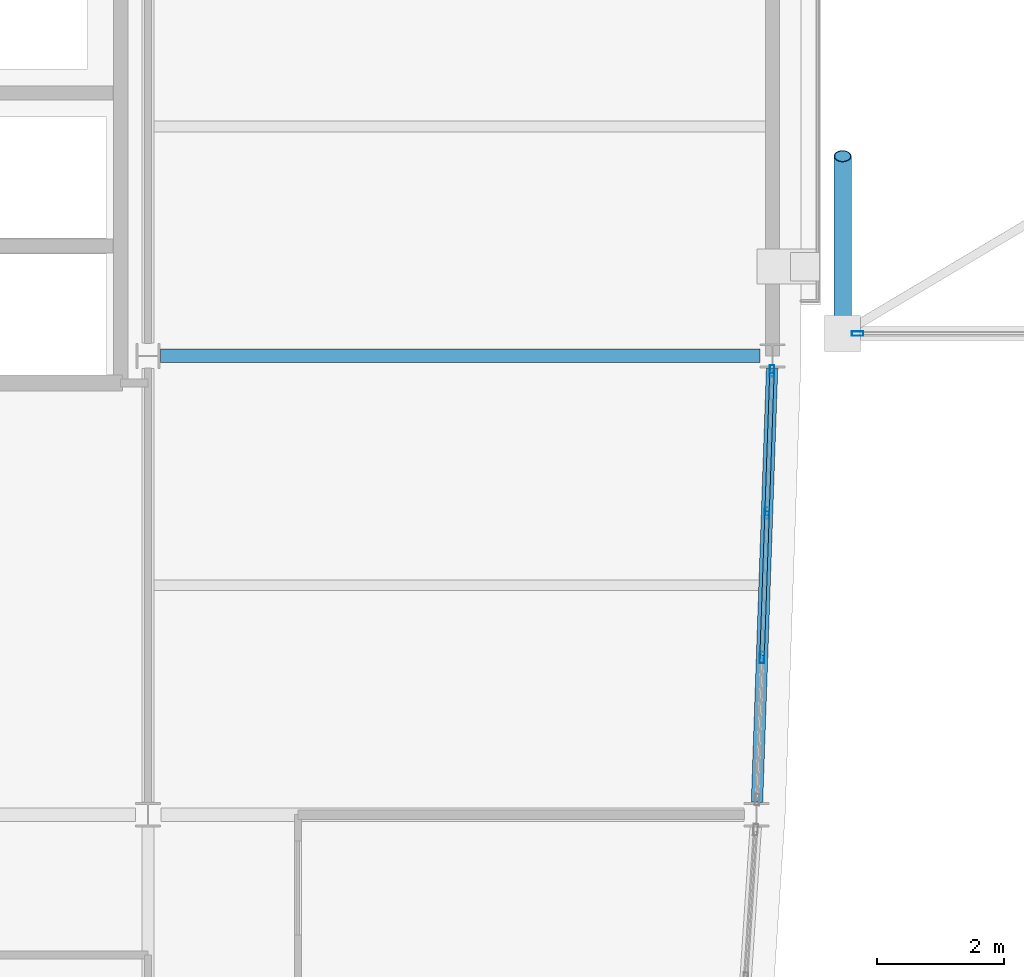
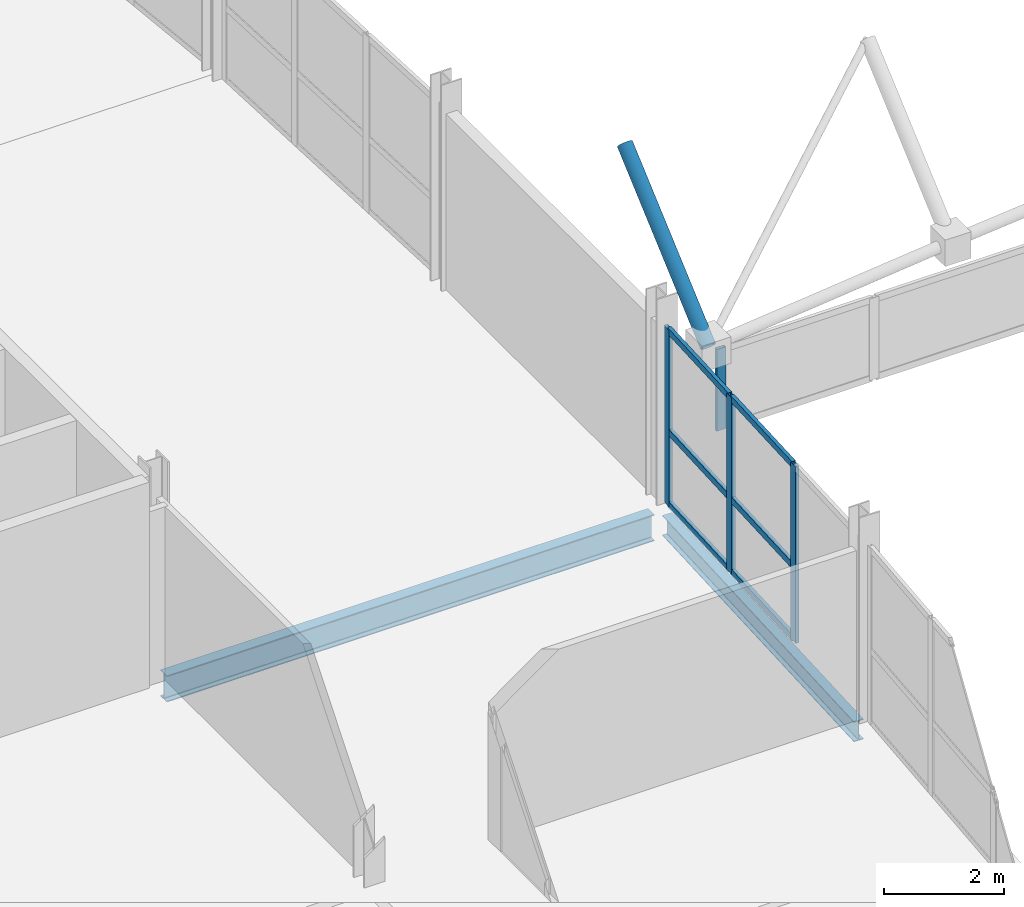
# One storey, part 25 of 60: 10 members, 3 beams, 2 elements without a shape of their own.
"""IFC4 building model written with IfcOpenShell, lengths in metres."""

import ifcopenshell
import ifcopenshell.guid

model = None  # the IFC model being written
_history = None  # IfcOwnerHistory: only IFC2X3 demands one
_inside = {}  # id of a spatial element -> (the spatial element, [elements in it])
_under = {}  # id of a project, library or spatial element -> (it, [spatial elements below it])
_declared = {}  # id of a project -> (the project, [libraries it declares])
_typed = {}  # id of a type object -> (the type object, [elements of that type])
_made_of = {}  # id of a material, layer set ... -> (it, [elements and type objects made of it])


def new_model(schema):
    """Start an empty IFC model of exactly this schema.

    Asked for "IFC4X3", IfcOpenShell would pick the latest addendum, in which some entities
    have other attributes; the version numbers below select the first issue.
    IFC2X3 requires an IfcOwnerHistory on every rooted entity: one is made here for all.
    """
    global model, _history
    if schema == "IFC4X3":
        model = ifcopenshell.file(schema_version=(4, 3, 0, 0))
    else:
        model = ifcopenshell.file(schema=schema)
    _inside.clear()
    _under.clear()
    _declared.clear()
    _typed.clear()
    _made_of.clear()
    _history = None
    if model.schema == "IFC2X3":
        org = make("IfcOrganization", Name="unknown")
        user = make(
            "IfcPersonAndOrganization",
            ThePerson=make("IfcPerson", FamilyName="unknown"),
            TheOrganization=org,
        )
        app = make(
            "IfcApplication",
            ApplicationDeveloper=org,
            Version="unknown",
            ApplicationFullName="unknown",
            ApplicationIdentifier="unknown",
        )
        _history = make(
            "IfcOwnerHistory",
            OwningUser=user,
            OwningApplication=app,
            ChangeAction="ADDED",
            CreationDate=0,
        )
    return model


def make(cls, **values):
    """One entity of the class cls with the attributes given. An attribute that is None is left unset."""
    return model.create_entity(
        cls, **{name: value for name, value in values.items() if value is not None}
    )


def rooted(cls, **values):
    """An entity with a GlobalId (a new one), such as an element, a storey or a relation."""
    return make(cls, GlobalId=ifcopenshell.guid.new(), OwnerHistory=_history, **values)


def si_unit(unit_type, name, prefix=None):
    """IfcSIUnit, for example si_unit("LENGTHUNIT", "METRE", prefix="MILLI")."""
    return make("IfcSIUnit", UnitType=unit_type, Prefix=prefix, Name=name)


def assignment(units):
    """IfcUnitAssignment: the units of a project."""
    return None if units is None else make("IfcUnitAssignment", Units=units)


def point(xyz):
    """IfcCartesianPoint."""
    return None if xyz is None else make("IfcCartesianPoint", Coordinates=xyz)


def direction(xyz):
    """IfcDirection."""
    return None if xyz is None else make("IfcDirection", DirectionRatios=xyz)


def frame(location, z_axis=None, x_axis=None):
    """IfcAxis2Placement3D, a coordinate frame: its origin and axes. An axis left out is left unset."""
    return make(
        "IfcAxis2Placement3D",
        Location=point(location),
        Axis=direction(z_axis),
        RefDirection=direction(x_axis),
    )


def frame_2d(location, x_axis=None):
    """IfcAxis2Placement2D, a coordinate frame in the plane: its origin and x axis."""
    return make(
        "IfcAxis2Placement2D", Location=point(location), RefDirection=direction(x_axis)
    )


def origin():
    """The frame at (0, 0, 0) with its axes left unset."""
    return frame((0.0, 0.0, 0.0))


def origin_2d():
    """The frame at (0, 0) in the plane with its x axis left unset."""
    return frame_2d((0.0, 0.0))


def place(relative_to, where):
    """IfcLocalPlacement: puts the frame where relative to a parent placement (None: the world)."""
    return make(
        "IfcLocalPlacement", PlacementRelTo=relative_to, RelativePlacement=where
    )


def context(
    kind, dimensions, precision=None, world=None, true_north=None, identifier=None
):
    """IfcGeometricRepresentationContext, for example the 3D "Model" context."""
    return make(
        "IfcGeometricRepresentationContext",
        ContextIdentifier=identifier,
        ContextType=kind,
        CoordinateSpaceDimension=dimensions,
        Precision=precision,
        WorldCoordinateSystem=world,
        TrueNorth=true_north,
    )


def subcontext(parent, identifier, kind, view, scale=None):
    """IfcGeometricRepresentationSubContext, for example "Body" below "Model"."""
    return make(
        "IfcGeometricRepresentationSubContext",
        ContextIdentifier=identifier,
        ContextType=kind,
        ParentContext=parent,
        TargetScale=scale,
        TargetView=view,
    )


def project(units=None, contexts=None):
    """IfcProject with its units and contexts."""
    return rooted(
        "IfcProject",
        Name="project",
        RepresentationContexts=contexts,
        UnitsInContext=assignment(units),
    )


def spatial(cls, under=None, at=None, **own):
    """A site, building, storey or space (cls), placed at a placement, below another one or the project."""
    s = rooted(cls, ObjectPlacement=at, **own)
    if under is not None:
        _under.setdefault(under.id(), (under, []))[1].append(s)
    return s


def profile(cls, at=None, kind="AREA", **sizes):
    """A parametric profile (cls). Its sizes go by their IFC names, for example OverallWidth=200.0."""
    return make(cls, ProfileType=kind, Position=at, **sizes)


def hollow_rectangle(**sizes):
    """IfcRectangleHollowProfileDef."""
    return profile("IfcRectangleHollowProfileDef", **sizes)


def hollow_circle(**sizes):
    """IfcCircleHollowProfileDef."""
    return profile("IfcCircleHollowProfileDef", **sizes)


def i_section(**sizes):
    """IfcIShapeProfileDef."""
    return profile("IfcIShapeProfileDef", **sizes)


def extrude(swept, where, along, depth):
    """IfcExtrudedAreaSolid: the profile swept, set in the frame where, extruded along a direction by depth."""
    return make(
        "IfcExtrudedAreaSolid",
        SweptArea=swept,
        Position=where,
        ExtrudedDirection=direction(along),
        Depth=depth,
    )


def shape(context_of_items, identifier, shape_type, items):
    """IfcShapeRepresentation: the items that make up one representation, for example the "Body"."""
    return make(
        "IfcShapeRepresentation",
        ContextOfItems=context_of_items,
        RepresentationIdentifier=identifier,
        RepresentationType=shape_type,
        Items=items,
    )


def material(Name=None, Category=None):
    """IfcMaterial."""
    return make("IfcMaterial", Name=Name, Category=Category)


def layer(
    of_material, thickness, ventilated=None, Name=None, Category=None, Priority=None
):
    """IfcMaterialLayer: one layer of a wall or slab, of a material (None: an air gap)."""
    return make(
        "IfcMaterialLayer",
        Material=of_material,
        LayerThickness=thickness,
        IsVentilated=ventilated,
        Name=Name,
        Category=Category,
        Priority=Priority,
    )


def layer_set(layers, Name=None):
    """IfcMaterialLayerSet."""
    return make("IfcMaterialLayerSet", MaterialLayers=layers, LayerSetName=Name)


def material_profile(
    of_material, cross_section, Name=None, Category=None, Priority=None
):
    """IfcMaterialProfile: a cross section and its material."""
    return make(
        "IfcMaterialProfile",
        Name=Name,
        Material=of_material,
        Profile=cross_section,
        Priority=Priority,
        Category=Category,
    )


def profile_set(profiles, Name=None, composite=None):
    """IfcMaterialProfileSet."""
    return make(
        "IfcMaterialProfileSet",
        Name=Name,
        MaterialProfiles=profiles,
        CompositeProfile=composite,
    )


def made_of(thing, what):
    """Note that an element or type object is made of a material, layer set ...; save() writes the relation."""
    if what is not None:
        _made_of.setdefault(what.id(), (what, []))[1].append(thing)
    return thing


def type_object(cls, material=None, **own):
    """A type object (cls), such as IfcWallType, which elements share."""
    return made_of(rooted(cls, **own), material)


def element(
    cls,
    number,
    at=None,
    inside=None,
    cuts=None,
    type_object=None,
    material=None,
    context=None,
    identifier="Body",
    shape_type=None,
    held_by="IfcProductDefinitionShape",
    body=None,
    shapes=None,
    **own,
):
    """One element of the class cls, such as IfcWall. Its Tag is "e" and its number.

    at: its placement. inside: the storey or other place that contains it. cuts: it is an
    opening in that element (IfcRelVoidsElement). A single representation is given by context,
    identifier, shape_type and body (its items); several are given by shapes. held_by: the class
    of the entity that holds the representations. save() writes the other relations.
    """
    e = rooted(cls, Tag="e%d" % number, ObjectPlacement=at, **own)
    if body is not None:
        shapes = [shape(context, identifier, shape_type, body)]
    if shapes is not None:
        e.Representation = make(held_by, Representations=shapes)
    if inside is not None:
        _inside.setdefault(inside.id(), (inside, []))[1].append(e)
    if cuts is not None:
        rooted(
            "IfcRelVoidsElement", RelatingBuildingElement=cuts, RelatedOpeningElement=e
        )
    if type_object is not None:
        _typed.setdefault(type_object.id(), (type_object, []))[1].append(e)
    return made_of(e, material)


def aggregate(whole, parts):
    """IfcRelAggregates: a whole, such as a stair, and the parts it consists of."""
    return rooted("IfcRelAggregates", RelatingObject=whole, RelatedObjects=parts)


def save(model, path):
    """Write the relations noted so far, then the file.

    IfcRelAggregates (storeys below a building ...), IfcRelContainedInSpatialStructure (elements
    in a storey), IfcRelDefinesByType, IfcRelAssociatesMaterial and IfcRelDeclares: one each for
    every whole, place, type object, material and project.
    """
    for whole, parts in _under.values():
        aggregate(whole, parts)
    for where, things in _inside.values():
        rooted(
            "IfcRelContainedInSpatialStructure",
            RelatedElements=things,
            RelatingStructure=where,
        )
    for kind, things in _typed.values():
        rooted("IfcRelDefinesByType", RelatedObjects=things, RelatingType=kind)
    for what, things in _made_of.values():
        rooted("IfcRelAssociatesMaterial", RelatedObjects=things, RelatingMaterial=what)
    for by, libraries in _declared.values():
        rooted("IfcRelDeclares", RelatingContext=by, RelatedDefinitions=libraries)
    model.write(path)


model = new_model("IFC4")

# Units and contexts
model_context = context("Model", 3, precision=1e-05, world=origin(), true_north=direction((0.0, 1.0)))
body_context = subcontext(model_context, "Body", "Model", "MODEL_VIEW")
ifc_project = project(units=[si_unit("LENGTHUNIT", "METRE"), si_unit("AREAUNIT", "SQUARE_METRE"), si_unit("VOLUMEUNIT", "CUBIC_METRE"), si_unit("PLANEANGLEUNIT", "RADIAN"), si_unit("MASSUNIT", "GRAM", prefix="KILO")], contexts=[model_context])

# Site, building, storey
site_placement = place(None, origin())
site = spatial("IfcSite", under=ifc_project, at=site_placement, CompositionType="ELEMENT")
building_placement = place(site_placement, origin())
building = spatial("IfcBuilding", under=site, at=building_placement, Name="Quillay Park Conservatory", CompositionType="ELEMENT")
storey_placement = place(building_placement, frame((0.0, 0.0, 9.89990234375)))
storey = spatial("IfcBuildingStorey", under=building, at=storey_placement, Name="L02", CompositionType="ELEMENT", Elevation=9.89990234375)

# Curtain wall, members
ifc_material_1 = material(Name="Thermally Broken Anodised Aluminium 6063-T6", Category="aluminium")
ifc_layer_1 = layer(ifc_material_1, 0.179931640625)
ifc_layer_set_1 = layer_set([ifc_layer_1], Name="UNITISED CURTAIN WALL TOWER (Thermally Broken Anodised Aluminium 6063-T6)")
curtain_wall_type_1 = type_object("IfcCurtainWallType", Name="UNITISED CURTAIN WALL TOWER", PredefinedType="USERDEFINED", material=ifc_layer_set_1)
curtain_wall_1_placement = place(storey_placement, origin())
curtain_wall_1 = element("IfcCurtainWall", 1, at=curtain_wall_1_placement, inside=storey, type_object=curtain_wall_type_1, Name="L02 Unitised Curtain Wall 021", ObjectType="UNITISED CURTAIN WALL", PredefinedType="USERDEFINED")
ifc_material_2 = material(Name="Thermally Broken Anodised Aluminium 6063-T6", Category="aluminium")
ifc_material_profile_1 = material_profile(ifc_material_2, hollow_rectangle(XDim=0.070068359375, YDim=0.179931640625, WallThickness=0.00390625, at=origin_2d()), Name="AL70x180x4")
ifc_profile_set_1 = profile_set([ifc_material_profile_1], Name="Thermally Broken Anodised Aluminium 6063-T6")
member_type_1 = type_object("IfcMemberType", Name="CURTAIN WALL MULLION 70 X180", PredefinedType="MULLION", material=ifc_profile_set_1)
member_1_placement = place(storey_placement, frame((29.5419921875, 84.965087890625, 0.0), z_axis=(0.0, 0.0, 1.0), x_axis=(0.999397310446, -0.034713338537, 0.0)))
member_1 = element("IfcMember", 2, at=member_1_placement, type_object=member_type_1, Name="CW-T1 mullion 1", PredefinedType="MULLION", context=body_context, shape_type="SweptSolid", body=[
    extrude(hollow_rectangle(XDim=0.070068359375, YDim=0.179931640625, WallThickness=0.00390625, at=origin_2d()), origin(), (0.0, 0.0, 1.0), 3.59912109375),
])
member_2_placement = place(storey_placement, frame((29.46435546875, 82.7333984375, 0.0), z_axis=(0.0, 0.0, 1.0), x_axis=(0.999397310446, -0.034713338537, 0.0)))
member_2 = element("IfcMember", 3, at=member_2_placement, type_object=member_type_1, Name="CW-T1 mullion 2", PredefinedType="MULLION", context=body_context, shape_type="SweptSolid", body=[
    extrude(hollow_rectangle(XDim=0.070068359375, YDim=0.179931640625, WallThickness=0.00390625, at=origin_2d()), origin(), (0.0, 0.0, 1.0), 3.59912109375),
])
member_3_placement = place(storey_placement, frame((29.3857421875, 80.466552734375, 0.0), z_axis=(0.0, 0.0, 1.0), x_axis=(0.999397310446, -0.034713338537, 0.0)))
member_3 = element("IfcMember", 4, at=member_3_placement, type_object=member_type_1, Name="CW-T1 mullion 3", PredefinedType="MULLION", context=body_context, shape_type="SweptSolid", body=[
    extrude(hollow_rectangle(XDim=0.070068359375, YDim=0.179931640625, WallThickness=0.00390625, at=origin_2d()), origin(), (0.0, 0.0, 1.0), 3.59912109375),
])

# Curtain wall, member
ifc_material_3 = material(Name="Thermally Broken Anodised Aluminium 6063-T6", Category="aluminium")
ifc_layer_2 = layer(ifc_material_3, 0.219970703125)
ifc_layer_set_2 = layer_set([ifc_layer_2], Name="UNITISED CURTAIN WALL CONSERVATORY (Thermally Broken Anodised Aluminium 6063-T6)")
curtain_wall_type_2 = type_object("IfcCurtainWallType", Name="UNITISED CURTAIN WALL CONSERVATORY", PredefinedType="USERDEFINED", material=ifc_layer_set_2)
curtain_wall_2_placement = place(storey_placement, origin())
curtain_wall_2 = element("IfcCurtainWall", 5, at=curtain_wall_2_placement, inside=storey, type_object=curtain_wall_type_2, Name="L02 Unitised Curtain Wall 187", ObjectType="UNITISED CURTAIN WALL", PredefinedType="USERDEFINED")
member_4_placement = place(storey_placement, frame((30.886962890625, 85.550048828125, 0.7001953125), z_axis=(0.0, 0.0, 1.0), x_axis=(0.0, -1.0, 0.0)))
member_4 = element("IfcMember", 6, at=member_4_placement, type_object=member_type_1, Name="CW-C1 mullion 4", PredefinedType="MULLION", context=body_context, shape_type="SweptSolid", body=[
    extrude(hollow_rectangle(XDim=0.070068359375, YDim=0.179931640625, WallThickness=0.00390625, at=origin_2d()), origin(), (0.0, 0.0, 1.0), 1.665771484375),
])
aggregate(curtain_wall_2, [member_4])

# Member
ifc_material_4 = material(Name="Thermally Broken Anodised Aluminium 6063-T6", Category="aluminium")
ifc_material_profile_2 = material_profile(ifc_material_4, hollow_rectangle(XDim=0.070068359375, YDim=0.1298828125, WallThickness=0.003173828125, at=origin_2d()), Name="AL70x130x3.2")
ifc_profile_set_2 = profile_set([ifc_material_profile_2], Name="Thermally Broken Anodised Aluminium 6063-T6")
member_type_2 = type_object("IfcMemberType", Name="CURTAIN WALL TRANSOM 70 X130", PredefinedType="USERDEFINED", material=ifc_profile_set_2)
member_5_placement = place(storey_placement, frame((29.540771484375, 84.93017578125, 0.03515625), z_axis=(-0.034761587249, -0.999395633396, 0.0), x_axis=(0.999395633396, -0.034761587249, 0.0)))
member_5 = element("IfcMember", 7, at=member_5_placement, type_object=member_type_2, Name="CW-T1 transom 1.1", ObjectType="TRANSOM", PredefinedType="USERDEFINED", context=body_context, shape_type="SweptSolid", body=[
    extrude(hollow_rectangle(XDim=0.070068359375, YDim=0.1298828125, WallThickness=0.003173828125, at=origin_2d()), origin(), (0.0, 0.0, 1.0), 2.1630859375),
])

member_6_placement = place(storey_placement, frame((29.540771484375, 84.93017578125, 1.51171875), z_axis=(-0.034761587249, -0.999395633396, 0.0), x_axis=(0.999395633396, -0.034761587249, 0.0)))
member_6 = element("IfcMember", 8, at=member_6_placement, type_object=member_type_2, Name="CW-T1 transom 1.2", ObjectType="TRANSOM", PredefinedType="USERDEFINED", context=body_context, shape_type="SweptSolid", body=[
    extrude(hollow_rectangle(XDim=0.070068359375, YDim=0.1298828125, WallThickness=0.003173828125, at=origin_2d()), origin(), (0.0, 0.0, 1.0), 2.1630859375),
])

member_7_placement = place(storey_placement, frame((29.540771484375, 84.93017578125, 3.564208984375), z_axis=(-0.034761587249, -0.999395633396, 0.0), x_axis=(0.999395633396, -0.034761587249, 0.0)))
member_7 = element("IfcMember", 9, at=member_7_placement, type_object=member_type_2, Name="CW-T1 transom 1.3", ObjectType="TRANSOM", PredefinedType="USERDEFINED", context=body_context, shape_type="SweptSolid", body=[
    extrude(hollow_rectangle(XDim=0.070068359375, YDim=0.1298828125, WallThickness=0.003173828125, at=origin_2d()), origin(), (0.0, 0.0, 1.0), 2.1630859375),
])

member_8_placement = place(storey_placement, frame((29.463134765625, 82.698486328125, 0.03515625), z_axis=(-0.034653546152, -0.999399385501, 0.0), x_axis=(0.999399385501, -0.034653546152, 0.0)))
member_8 = element("IfcMember", 10, at=member_8_placement, type_object=member_type_2, Name="CW-T1 transom 2.1", ObjectType="TRANSOM", PredefinedType="USERDEFINED", context=body_context, shape_type="SweptSolid", body=[
    extrude(hollow_rectangle(XDim=0.070068359375, YDim=0.1298828125, WallThickness=0.003173828125, at=origin_2d()), origin(), (0.0, 0.0, 1.0), 2.197998046875),
])

member_9_placement = place(storey_placement, frame((29.463134765625, 82.698486328125, 1.51171875), z_axis=(-0.034653546152, -0.999399385501, 0.0), x_axis=(0.999399385501, -0.034653546152, 0.0)))
member_9 = element("IfcMember", 11, at=member_9_placement, type_object=member_type_2, Name="CW-T1 transom 2.2", ObjectType="TRANSOM", PredefinedType="USERDEFINED", context=body_context, shape_type="SweptSolid", body=[
    extrude(hollow_rectangle(XDim=0.070068359375, YDim=0.1298828125, WallThickness=0.003173828125, at=origin_2d()), origin(), (0.0, 0.0, 1.0), 2.197998046875),
])

member_10_placement = place(storey_placement, frame((29.463134765625, 82.698486328125, 3.564208984375), z_axis=(-0.034653546152, -0.999399385501, 0.0), x_axis=(0.999399385501, -0.034653546152, 0.0)))
member_10 = element("IfcMember", 12, at=member_10_placement, type_object=member_type_2, Name="CW-T1 transom 2.3", ObjectType="TRANSOM", PredefinedType="USERDEFINED", context=body_context, shape_type="SweptSolid", body=[
    extrude(hollow_rectangle(XDim=0.070068359375, YDim=0.1298828125, WallThickness=0.003173828125, at=origin_2d()), origin(), (0.0, 0.0, 1.0), 2.197998046875),
])

aggregate(curtain_wall_1, [member_1, member_2, member_3, member_5, member_6, member_7, member_8, member_9, member_10])

# Beams
ifc_material_5 = material(Name="Steel S355J2H", Category="steel")
ifc_material_profile_3 = material_profile(ifc_material_5, hollow_circle(Radius=0.136474609375, WallThickness=0.012451171875, at=origin_2d()), Name="CHS273x12.5")
ifc_profile_set_3 = profile_set([ifc_material_profile_3], Name="Steel S355J2H")
beam_type_1 = type_object("IfcBeamType", Name="GRIDSHELL ARCH BEAM CHS273", PredefinedType="USERDEFINED", material=ifc_profile_set_3)
beam_1_placement = place(storey_placement, frame((30.64990234375, 85.550048828125, 2.466064453125), z_axis=(0.0, 0.751437038609, 0.659804802201), x_axis=(-1.0, 0.0, 0.0)))
element("IfcBeam", 13, at=beam_1_placement, inside=storey, type_object=beam_type_1, Name="Gridshell member GS-ARCH-00-00", ObjectType="GRIDSHELL ARCH BEAM", PredefinedType="USERDEFINED", context=body_context, shape_type="SweptSolid", body=[
    extrude(hollow_circle(Radius=0.136474609375, WallThickness=0.012451171875, at=origin_2d()), origin(), (0.0, 0.0, 1.0), 3.7060546875),
])
ifc_material_6 = material(Name="Steel ASTM A992 Grade 50", Category="steel")
ifc_material_profile_4 = material_profile(ifc_material_6, i_section(OverallWidth=0.179931640625, OverallDepth=0.4130859375, WebThickness=0.009765625, FlangeThickness=0.01611328125, FilletRadius=0.011962890625, at=origin_2d()), Name="W410x74")
ifc_profile_set_4 = profile_set([ifc_material_profile_4], Name="Steel ASTM A992 Grade 50")
beam_type_2 = type_object("IfcBeamType", Name="PERIMETER SPANDREL BEAM W410 X74", PredefinedType="SPANDREL", material=ifc_profile_set_4)
beam_2_placement = place(storey_placement, frame((29.306884765625, 78.1962890625, -0.4365234375), z_axis=(0.034695592047, 0.9993979267, 0.0), x_axis=(-0.9993979267, 0.034695592047, 0.0)))
element("IfcBeam", 14, at=beam_2_placement, inside=storey, type_object=beam_type_2, Name="L02 beam BM-SPE-0213", PredefinedType="SPANDREL", context=body_context, shape_type="SweptSolid", body=[
    extrude(i_section(OverallWidth=0.179931640625, OverallDepth=0.4130859375, WebThickness=0.009765625, FlangeThickness=0.01611328125, FilletRadius=0.011962890625, at=origin_2d()), origin(), (0.0, 0.0, 1.0), 6.8115234375),
])
ifc_material_7 = material(Name="Steel ASTM A992 Grade 50", Category="steel")
ifc_material_profile_5 = material_profile(ifc_material_7, i_section(OverallWidth=0.2109375, OverallDepth=0.5390625, WebThickness=0.01171875, FlangeThickness=0.018798828125, FilletRadius=0.013916015625, at=origin_2d()), Name="W530x109")
ifc_profile_set_5 = profile_set([ifc_material_profile_5], Name="Steel ASTM A992 Grade 50")
beam_type_3 = type_object("IfcBeamType", Name="PRIMARY FLOOR GIRDER W530 X109", PredefinedType="BEAM", material=ifc_profile_set_5)
beam_3_placement = place(storey_placement, frame((19.946533203125, 85.199951171875, -0.49951171875), z_axis=(1.0, 0.0, 0.0), x_axis=(0.0, 1.0, 0.0)))
element("IfcBeam", 15, at=beam_3_placement, inside=storey, type_object=beam_type_3, Name="L02 beam BM-G-0186", PredefinedType="BEAM", context=body_context, shape_type="SweptSolid", body=[
    extrude(i_section(OverallWidth=0.2109375, OverallDepth=0.5390625, WebThickness=0.01171875, FlangeThickness=0.018798828125, FilletRadius=0.013916015625, at=origin_2d()), origin(), (0.0, 0.0, 1.0), 9.404052734375),
])

save(model, "model.ifc")
